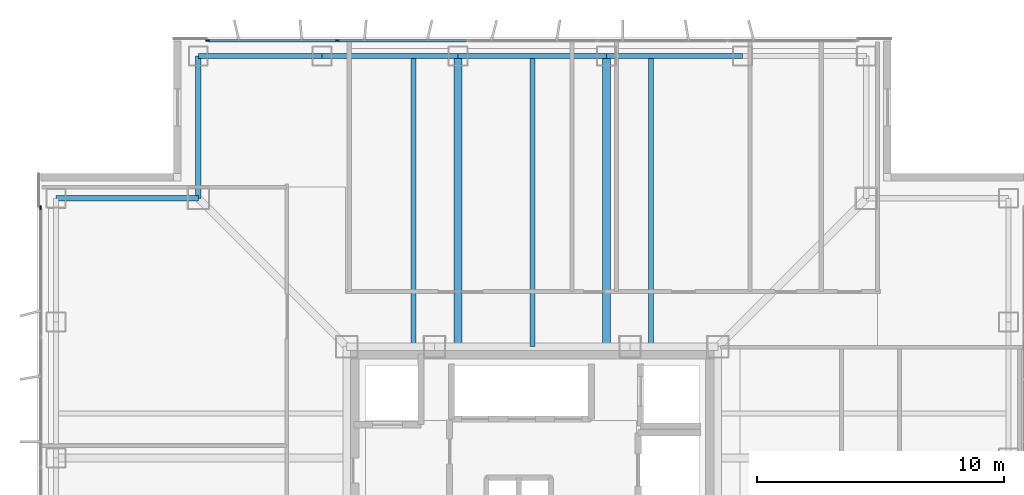
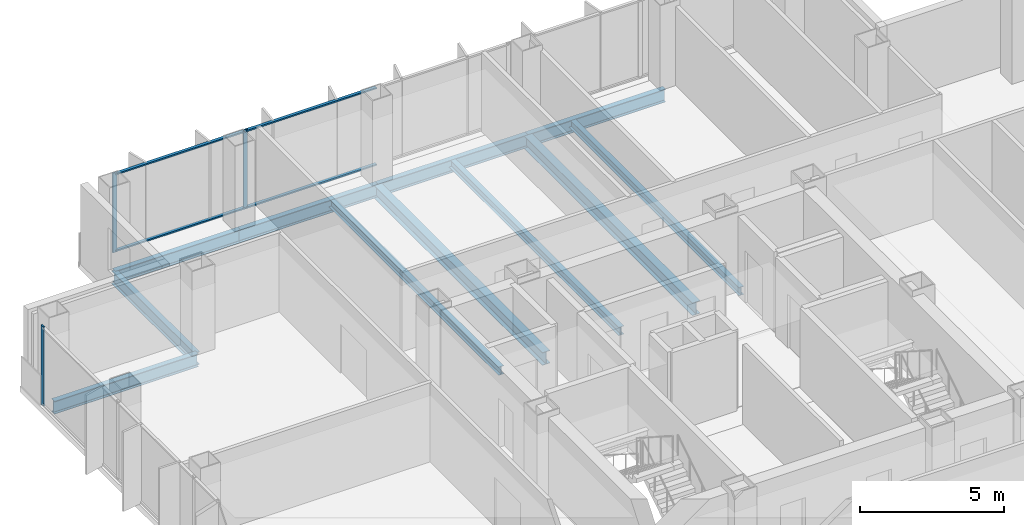
# One storey, part 7 of 17: 11 beams, 7 members, 2 elements without a shape of their own.
"""IFC4 building model written with IfcOpenShell, lengths in metres."""

from ifc_helpers import new_model, si_unit, direction, frame, origin, origin_2d, place, context, subcontext, project, spatial, rectangle, i_section, extrude, material, layer, layer_set, material_profile, profile_set, type_object, element, aggregate, save


model = new_model("IFC4")

# Units and contexts
model_context = context("Model", 3, precision=1e-05, world=origin(), true_north=direction((0.0, 1.0)))
body_context = subcontext(model_context, "Body", "Model", "MODEL_VIEW")
ifc_project = project(units=[si_unit("LENGTHUNIT", "METRE"), si_unit("AREAUNIT", "SQUARE_METRE"), si_unit("VOLUMEUNIT", "CUBIC_METRE"), si_unit("PLANEANGLEUNIT", "RADIAN"), si_unit("MASSUNIT", "GRAM", prefix="KILO")], contexts=[model_context])

# Site, building, storey
site_placement = place(None, origin())
site = spatial("IfcSite", under=ifc_project, at=site_placement, CompositionType="ELEMENT")
building_placement = place(site_placement, origin())
building = spatial("IfcBuilding", under=site, at=building_placement, Name="Trevonay Congress Spire", CompositionType="ELEMENT")
storey_placement = place(building_placement, frame((0.0, 0.0, 184.199951171875)))
storey = spatial("IfcBuildingStorey", under=building, at=storey_placement, Name="L47", CompositionType="ELEMENT", Elevation=184.199951171875)

# Beams
ifc_material_1 = material(Name="Steel ASTM A572 Grade 50", Category="steel")
ifc_material_profile_1 = material_profile(ifc_material_1, i_section(OverallWidth=0.31201171875, OverallDepth=0.54296875, WebThickness=0.0126953125, FlangeThickness=0.020263671875, FilletRadius=0.014892578125, at=origin_2d()), Name="W530x150")
ifc_profile_set_1 = profile_set([ifc_material_profile_1], Name="Steel ASTM A572 Grade 50")
beam_type_1 = type_object("IfcBeamType", Name="BM-GIRD-W530X150", PredefinedType="BEAM", material=ifc_profile_set_1)
for number, where, z_axis, x_axis, name in (
    (1, (-3.0, 7.5, -0.511474609375), (0.0, 1.0, 0.0), (-1.0, 0.0, 0.0), "L47 structural beam BM-L47-GN-M"),
    (2, (3.0, 7.5, -0.511474609375), (0.0, 1.0, 0.0), (-1.0, 0.0, 0.0), "L47 structural beam BM-L47-GN-P"),
):
    element("IfcBeam", number, at=place(storey_placement, frame(where, z_axis=z_axis, x_axis=x_axis)), inside=storey, type_object=beam_type_1, Name=name, PredefinedType="BEAM", context=body_context, shape_type="SweptSolid", body=[
        extrude(i_section(OverallWidth=0.31201171875, OverallDepth=0.54296875, WebThickness=0.0126953125, FlangeThickness=0.020263671875, FilletRadius=0.014892578125, at=origin_2d()), origin(), (0.0, 0.0, 1.0), 11.75),
    ])
ifc_material_profile_2 = material_profile(ifc_material_1, i_section(OverallWidth=0.2119140625, OverallDepth=0.5439453125, WebThickness=0.01318359375, FlangeThickness=0.021240234375, FilletRadius=0.014892578125, at=origin_2d()), Name="W530x123")
ifc_profile_set_2 = profile_set([ifc_material_profile_2], Name="Steel ASTM A572 Grade 50")
beam_type_2 = type_object("IfcBeamType", Name="BM-RING-W530X123", PredefinedType="BEAM", material=ifc_profile_set_2)
beam_1_placement = place(storey_placement, frame((-13.5, 19.25, -0.511962890625), z_axis=(1.0, 0.0, 0.0), x_axis=(0.0, 1.0, 0.0)))
element("IfcBeam", 3, at=beam_1_placement, inside=storey, type_object=beam_type_2, Name="L47 structural beam BM-L47-PN1", PredefinedType="BEAM", context=body_context, shape_type="SweptSolid", body=[
    extrude(i_section(OverallWidth=0.2119140625, OverallDepth=0.5439453125, WebThickness=0.01318359375, FlangeThickness=0.021240234375, FilletRadius=0.014892578125, at=origin_2d()), origin(), (0.0, 0.0, 1.0), 5.0),
])
beam_2_placement = place(storey_placement, frame((-8.5, 19.25, -0.511962890625), z_axis=(1.0, 0.0, 0.0), x_axis=(0.0, 1.0, 0.0)))
element("IfcBeam", 4, at=beam_2_placement, inside=storey, type_object=beam_type_2, Name="L47 structural beam BM-L47-PN2", PredefinedType="BEAM", context=body_context, shape_type="SweptSolid", body=[
    extrude(i_section(OverallWidth=0.2119140625, OverallDepth=0.5439453125, WebThickness=0.01318359375, FlangeThickness=0.021240234375, FilletRadius=0.014892578125, at=origin_2d()), origin(), (0.0, 0.0, 1.0), 5.5),
])
beam_3_placement = place(storey_placement, frame((-3.0, 19.25, -0.511962890625), z_axis=(1.0, 0.0, 0.0), x_axis=(0.0, 1.0, 0.0)))
element("IfcBeam", 5, at=beam_3_placement, inside=storey, type_object=beam_type_2, Name="L47 structural beam BM-L47-PN3", PredefinedType="BEAM", context=body_context, shape_type="SweptSolid", body=[
    extrude(i_section(OverallWidth=0.2119140625, OverallDepth=0.5439453125, WebThickness=0.01318359375, FlangeThickness=0.021240234375, FilletRadius=0.014892578125, at=origin_2d()), origin(), (0.0, 0.0, 1.0), 6.0),
])
beam_4_placement = place(storey_placement, frame((3.0, 19.25, -0.511962890625), z_axis=(1.0, 0.0, 0.0), x_axis=(0.0, 1.0, 0.0)))
element("IfcBeam", 6, at=beam_4_placement, inside=storey, type_object=beam_type_2, Name="L47 structural beam BM-L47-PN4", PredefinedType="BEAM", context=body_context, shape_type="SweptSolid", body=[
    extrude(i_section(OverallWidth=0.2119140625, OverallDepth=0.5439453125, WebThickness=0.01318359375, FlangeThickness=0.021240234375, FilletRadius=0.014892578125, at=origin_2d()), origin(), (0.0, 0.0, 1.0), 5.5),
])
for number, where, z_axis, x_axis, name in (
    (7, (-13.5, 19.25, -0.511962890625), (0.0, -1.0, 0.0), (1.0, 0.0, 0.0), "L47 structural beam BM-L47-N1NW"),
    (8, (-19.25, 13.5, -0.511962890625), (1.0, 0.0, 0.0), (0.0, 1.0, 0.0), "L47 structural beam BM-L47-N2NW"),
):
    element("IfcBeam", number, at=place(storey_placement, frame(where, z_axis=z_axis, x_axis=x_axis)), inside=storey, type_object=beam_type_2, Name=name, PredefinedType="BEAM", context=body_context, shape_type="SweptSolid", body=[
        extrude(i_section(OverallWidth=0.2119140625, OverallDepth=0.5439453125, WebThickness=0.01318359375, FlangeThickness=0.021240234375, FilletRadius=0.014892578125, at=origin_2d()), origin(), (0.0, 0.0, 1.0), 5.75),
    ])

# Curtain wall, members
ifc_material_2 = material(Name="Pale Anodised Aluminium EN AW-6063-T6", Category="aluminium")
ifc_layer = layer(ifc_material_2, 0.169921875, Name="Pale Anodised Aluminium EN AW-6063-T6")
ifc_layer_set = layer_set([ifc_layer], Name="Pale Anodised Aluminium EN AW-6063-T6")
curtain_wall_type = type_object("IfcCurtainWallType", Name="CW-SYS04-CORP-PALE-METAL", PredefinedType="NOTDEFINED", material=ifc_layer_set)
curtain_wall_1_placement = place(storey_placement, origin())
curtain_wall_1 = element("IfcCurtainWall", 9, at=curtain_wall_1_placement, inside=storey, type_object=curtain_wall_type, Name="L47 N unitised curtain wall", PredefinedType="NOTDEFINED")
ifc_material_profile_3 = material_profile(ifc_material_2, rectangle(XDim=0.06005859375, YDim=0.159912109375, at=origin_2d()), Name="CW-MULLION-160-ALUMINIUM")
ifc_profile_set_3 = profile_set([ifc_material_profile_3], Name="Pale Anodised Aluminium EN AW-6063-T6")
member_type_1 = type_object("IfcMemberType", Name="CW-MULLION-160-ALUMINIUM", PredefinedType="MULLION", material=ifc_profile_set_3)
member_1_placement = place(storey_placement, frame((-13.1201171875, 19.8798828125, 0.0), z_axis=(0.0, 0.0, 1.0), x_axis=(0.0, 1.0, 0.0)))
member_1 = element("IfcMember", 10, at=member_1_placement, type_object=member_type_1, Name="CW04 mullion 1", PredefinedType="MULLION", context=body_context, shape_type="SweptSolid", body=[
    extrude(rectangle(XDim=0.06005859375, YDim=0.159912109375, at=origin_2d()), origin(), (0.0, 0.0, 1.0), 3.360107421875),
])
member_2_placement = place(storey_placement, frame((-7.889892578125, 19.8798828125, 0.0), z_axis=(0.0, 0.0, 1.0), x_axis=(0.0, 1.0, 0.0)))
member_2 = element("IfcMember", 11, at=member_2_placement, type_object=member_type_1, Name="CW04 mullion 2", PredefinedType="MULLION", context=body_context, shape_type="SweptSolid", body=[
    extrude(rectangle(XDim=0.06005859375, YDim=0.159912109375, at=origin_2d()), origin(), (0.0, 0.0, 1.0), 3.360107421875),
])

# Curtain wall, member
curtain_wall_2_placement = place(storey_placement, origin())
curtain_wall_2 = element("IfcCurtainWall", 12, at=curtain_wall_2_placement, inside=storey, type_object=curtain_wall_type, Name="L47 W unitised curtain wall", PredefinedType="NOTDEFINED")
member_3_placement = place(storey_placement, frame((-19.8798828125, 13.1201171875, 0.0), z_axis=(0.0, 0.0, 1.0), x_axis=(-1.0, 0.0, 0.0)))
member_3 = element("IfcMember", 13, at=member_3_placement, type_object=member_type_1, Name="CW04 mullion 6", PredefinedType="MULLION", context=body_context, shape_type="SweptSolid", body=[
    extrude(rectangle(XDim=0.06005859375, YDim=0.159912109375, at=origin_2d()), origin(), (0.0, 0.0, 1.0), 3.360107421875),
])
aggregate(curtain_wall_2, [member_3])

# Member
ifc_material_profile_4 = material_profile(ifc_material_2, rectangle(XDim=0.1201171875, YDim=0.06005859375, at=origin_2d()), Name="CW-TRANSOM-120-ALUMINIUM")
ifc_profile_set_4 = profile_set([ifc_material_profile_4], Name="Pale Anodised Aluminium EN AW-6063-T6")
member_type_2 = type_object("IfcMemberType", Name="CW-TRANSOM-120-ALUMINIUM", PredefinedType="USERDEFINED", material=ifc_profile_set_4)
member_4_placement = place(storey_placement, frame((-13.090087890625, 19.8798828125, 0.06005859375), z_axis=(1.0, 0.0, 0.0), x_axis=(0.0, 1.0, 0.0)))
member_4 = element("IfcMember", 14, at=member_4_placement, type_object=member_type_2, Name="CW04 transom 1.1", ObjectType="TRANSOM", PredefinedType="USERDEFINED", context=body_context, shape_type="SweptSolid", body=[
    extrude(rectangle(XDim=0.1201171875, YDim=0.06005859375, at=origin_2d()), origin(), (0.0, 0.0, 1.0), 5.170166015625),
])

member_5_placement = place(storey_placement, frame((-13.090087890625, 19.8798828125, 3.300048828125), z_axis=(1.0, 0.0, 0.0), x_axis=(0.0, 1.0, 0.0)))
member_5 = element("IfcMember", 15, at=member_5_placement, type_object=member_type_2, Name="CW04 transom 1.2", ObjectType="TRANSOM", PredefinedType="USERDEFINED", context=body_context, shape_type="SweptSolid", body=[
    extrude(rectangle(XDim=0.1201171875, YDim=0.06005859375, at=origin_2d()), origin(), (0.0, 0.0, 1.0), 5.170166015625),
])

member_6_placement = place(storey_placement, frame((-7.860107421875, 19.8798828125, 0.06005859375), z_axis=(1.0, 0.0, 0.0), x_axis=(0.0, 1.0, 0.0)))
member_6 = element("IfcMember", 16, at=member_6_placement, type_object=member_type_2, Name="CW04 transom 2.1", ObjectType="TRANSOM", PredefinedType="USERDEFINED", context=body_context, shape_type="SweptSolid", body=[
    extrude(rectangle(XDim=0.1201171875, YDim=0.06005859375, at=origin_2d()), origin(), (0.0, 0.0, 1.0), 5.2001953125),
])

member_7_placement = place(storey_placement, frame((-7.860107421875, 19.8798828125, 3.300048828125), z_axis=(1.0, 0.0, 0.0), x_axis=(0.0, 1.0, 0.0)))
member_7 = element("IfcMember", 17, at=member_7_placement, type_object=member_type_2, Name="CW04 transom 2.2", ObjectType="TRANSOM", PredefinedType="USERDEFINED", context=body_context, shape_type="SweptSolid", body=[
    extrude(rectangle(XDim=0.1201171875, YDim=0.06005859375, at=origin_2d()), origin(), (0.0, 0.0, 1.0), 5.2001953125),
])

aggregate(curtain_wall_1, [member_1, member_2, member_4, member_5, member_6, member_7])

# Beams
ifc_material_profile_5 = material_profile(ifc_material_1, i_section(OverallWidth=0.205078125, OverallDepth=0.35400390625, WebThickness=0.009521484375, FlangeThickness=0.016845703125, FilletRadius=0.011962890625, at=origin_2d()), Name="W360x79")
ifc_profile_set_5 = profile_set([ifc_material_profile_5], Name="Steel ASTM A572 Grade 50")
beam_type_3 = type_object("IfcBeamType", Name="JS-COMP-W360X79", PredefinedType="JOIST", material=ifc_profile_set_5)
for number, where, z_axis, x_axis, name in (
    (18, (-4.800048828125, 7.5, -0.4169921875), (0.0, 1.0, 0.0), (-1.0, 0.0, 0.0), "L47 structural beam JS-L47-NS-N1"),
    (19, (0.0, 7.5, -0.4169921875), (0.0, 1.0, 0.0), (-1.0, 0.0, 0.0), "L47 structural beam JS-L47-NS-N2"),
    (20, (4.800048828125, 7.5, -0.4169921875), (0.0, 1.0, 0.0), (-1.0, 0.0, 0.0), "L47 structural beam JS-L47-NS-N3"),
):
    element("IfcBeam", number, at=place(storey_placement, frame(where, z_axis=z_axis, x_axis=x_axis)), inside=storey, type_object=beam_type_3, Name=name, PredefinedType="JOIST", context=body_context, shape_type="SweptSolid", body=[
        extrude(i_section(OverallWidth=0.205078125, OverallDepth=0.35400390625, WebThickness=0.009521484375, FlangeThickness=0.016845703125, FilletRadius=0.011962890625, at=origin_2d()), origin(), (0.0, 0.0, 1.0), 11.75),
    ])

save(model, "model.ifc")
